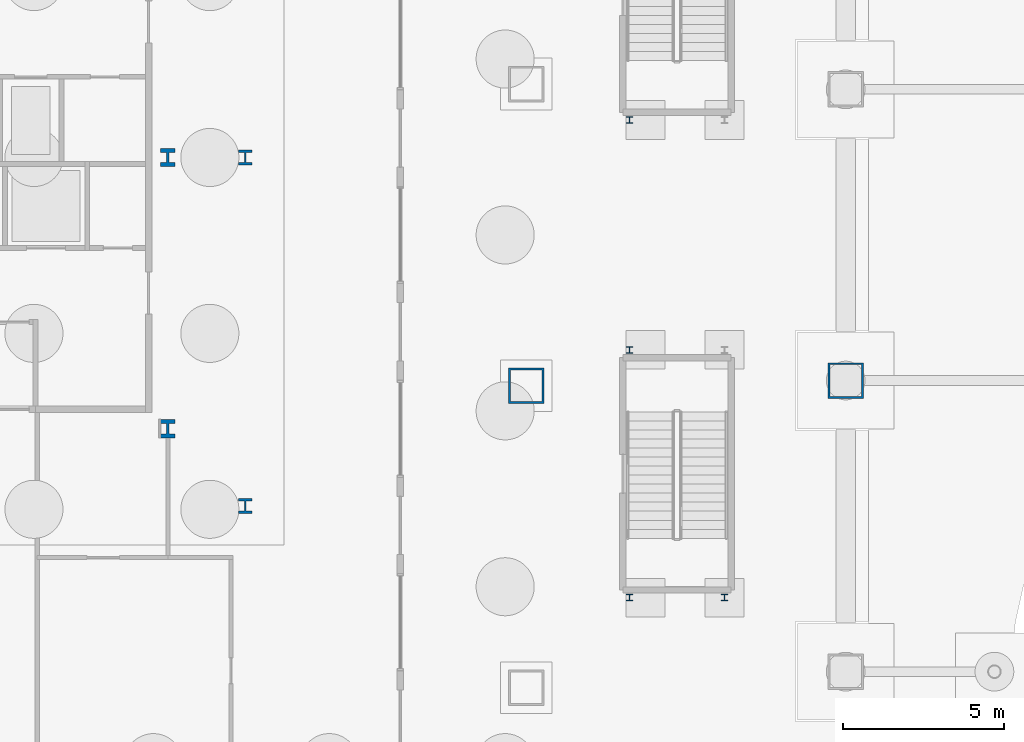
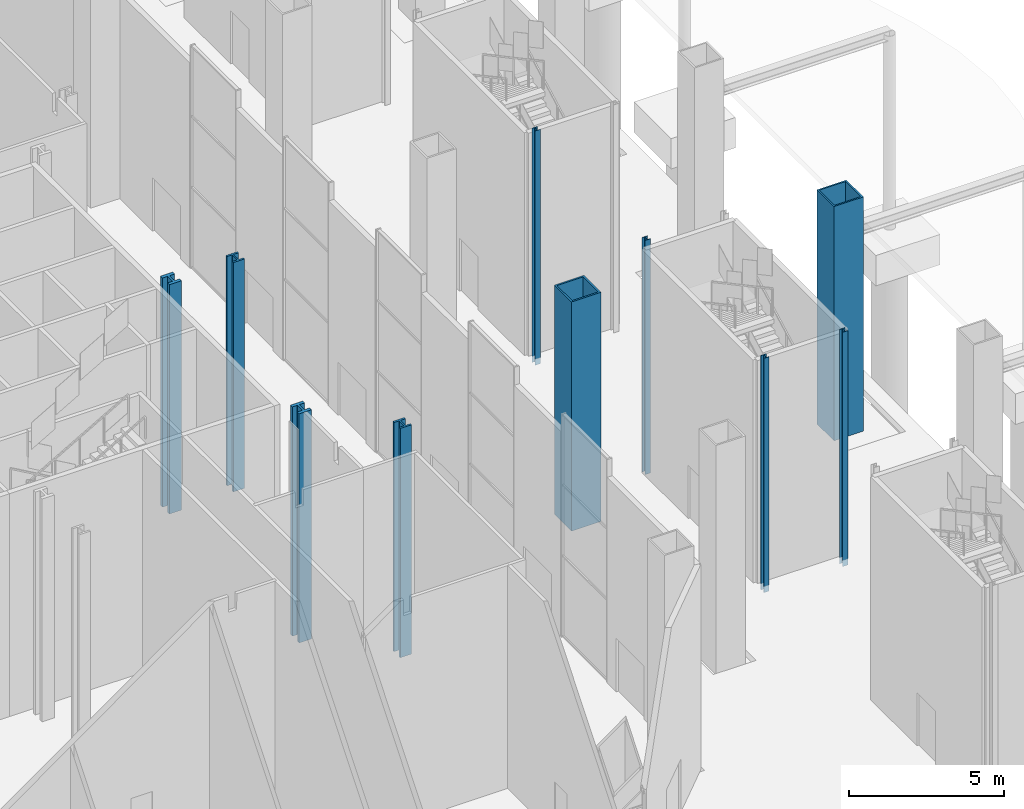
# One storey, part 8 of 38: 10 columns.
"""IFC4 building model written with IfcOpenShell, lengths in metres."""

from ifc_helpers import new_model, si_unit, direction, frame, origin, origin_2d, place, context, subcontext, project, spatial, hollow_rectangle, i_section, extrude, material, material_profile, profile_set, type_object, element, save


model = new_model("IFC4")

# Units and contexts
model_context = context("Model", 3, precision=1e-05, world=origin(), true_north=direction((0.0, 1.0)))
body_context = subcontext(model_context, "Body", "Model", "MODEL_VIEW")
ifc_project = project(units=[si_unit("LENGTHUNIT", "METRE"), si_unit("AREAUNIT", "SQUARE_METRE"), si_unit("VOLUMEUNIT", "CUBIC_METRE"), si_unit("PLANEANGLEUNIT", "RADIAN"), si_unit("MASSUNIT", "GRAM", prefix="KILO")], contexts=[model_context])

# Site, building, storey
site_placement = place(None, origin())
site = spatial("IfcSite", under=ifc_project, at=site_placement, CompositionType="ELEMENT")
building_placement = place(site_placement, origin())
building = spatial("IfcBuilding", under=site, at=building_placement, Name="Cairn Pilgrim Tower", CompositionType="ELEMENT")
storey_placement = place(building_placement, origin())
storey = spatial("IfcBuildingStorey", under=building, at=storey_placement, Name="L00", CompositionType="ELEMENT", Elevation=0.0)

# Columns
ifc_material_1 = material(Name="Structural steel S460M", Category="steel")
ifc_material_profile_1 = material_profile(ifc_material_1, hollow_rectangle(XDim=1.10009765625, YDim=1.10009765625, WallThickness=0.06005859375, at=origin_2d()), Name="BOX 1100x1100x60")
ifc_profile_set_1 = profile_set([ifc_material_profile_1], Name="Structural steel S460M")
column_type_1 = type_object("IfcColumnType", Name="BOX 1100x1100x60", PredefinedType="COLUMN", material=ifc_profile_set_1)
column_1_placement = place(storey_placement, frame((27.89990234375, -4.67578125, -0.25), z_axis=(0.0, 0.0, 1.0), x_axis=(1.0, 0.0, 0.0)))
element("IfcColumn", 1, at=column_1_placement, inside=storey, type_object=column_type_1, Name="PC1-E2", PredefinedType="COLUMN", context=body_context, shape_type="SweptSolid", body=[
    extrude(hollow_rectangle(XDim=1.10009765625, YDim=1.10009765625, WallThickness=0.06005859375, at=origin_2d()), origin(), (0.0, 0.0, 1.0), 9.050048828125),
])
ifc_material_profile_2 = material_profile(ifc_material_1, i_section(OverallWidth=0.4541015625, OverallDepth=0.569091796875, WebThickness=0.077880859375, FlangeThickness=0.125, FilletRadius=0.014892578125, at=origin_2d()), Name="HD 400x1086")
ifc_profile_set_2 = profile_set([ifc_material_profile_2], Name="Structural steel S460M")
column_type_2 = type_object("IfcColumnType", Name="HD 400x1086", PredefinedType="COLUMN", material=ifc_profile_set_2)
for number, where, z_axis, x_axis, name in (
    (2, (16.800048828125, -6.0, -0.25), (0.0, 0.0, 1.0), (1.0, 0.0, 0.0), "KC-3"),
    (3, (16.800048828125, 2.39990234375, -0.25), (0.0, 0.0, 1.0), (1.0, 0.0, 0.0), "KC-5"),
):
    element("IfcColumn", number, at=place(storey_placement, frame(where, z_axis=z_axis, x_axis=x_axis)), inside=storey, type_object=column_type_2, Name=name, PredefinedType="COLUMN", context=body_context, shape_type="SweptSolid", body=[
        extrude(i_section(OverallWidth=0.4541015625, OverallDepth=0.569091796875, WebThickness=0.077880859375, FlangeThickness=0.125, FilletRadius=0.014892578125, at=origin_2d()), origin(), (0.0, 0.0, 1.0), 9.050048828125),
    ])
ifc_material_profile_3 = material_profile(ifc_material_1, i_section(OverallWidth=0.424072265625, OverallDepth=0.47412109375, WebThickness=0.047607421875, FlangeThickness=0.0771484375, FilletRadius=0.014892578125, at=origin_2d()), Name="HD 400x634")
ifc_profile_set_3 = profile_set([ifc_material_profile_3], Name="Structural steel S460M")
column_type_3 = type_object("IfcColumnType", Name="HD 400x634", PredefinedType="COLUMN", material=ifc_profile_set_3)
for number, where, z_axis, x_axis, name in (
    (4, (19.199951171875, -8.39990234375, -0.25), (0.0, 0.0, 1.0), (1.0, 0.0, 0.0), "IC-3"),
    (5, (19.199951171875, 2.39990234375, -0.25), (0.0, 0.0, 1.0), (1.0, 0.0, 0.0), "IC-5"),
):
    element("IfcColumn", number, at=place(storey_placement, frame(where, z_axis=z_axis, x_axis=x_axis)), inside=storey, type_object=column_type_3, Name=name, PredefinedType="COLUMN", context=body_context, shape_type="SweptSolid", body=[
        extrude(i_section(OverallWidth=0.424072265625, OverallDepth=0.47412109375, WebThickness=0.047607421875, FlangeThickness=0.0771484375, FilletRadius=0.014892578125, at=origin_2d()), origin(), (0.0, 0.0, 1.0), 9.050048828125),
    ])
ifc_material_profile_4 = material_profile(ifc_material_1, hollow_rectangle(XDim=1.10009765625, YDim=1.10009765625, WallThickness=0.06005859375, at=origin_2d()), Name="BOX 1100x1100x60")
ifc_profile_set_4 = profile_set([ifc_material_profile_4], Name="Structural steel S460M")
column_type_4 = type_object("IfcColumnType", Name="PILOTIS CFT 1100", PredefinedType="COLUMN", material=ifc_profile_set_4)
column_2_placement = place(storey_placement, frame((37.800048828125, -4.51025390625, -0.25), z_axis=(0.0, 0.0, 1.0), x_axis=(1.0, 0.0, 0.0)))
element("IfcColumn", 6, at=column_2_placement, inside=storey, type_object=column_type_4, Name="PILOTIS PL-E3", PredefinedType="COLUMN", context=body_context, shape_type="SweptSolid", body=[
    extrude(hollow_rectangle(XDim=1.10009765625, YDim=1.10009765625, WallThickness=0.06005859375, at=origin_2d()), origin(), (0.0, 0.0, 1.0), 9.25),
])
ifc_material_2 = material(Name="Structural steel S355J2", Category="steel")
ifc_material_profile_5 = material_profile(ifc_material_2, i_section(OverallWidth=0.199951171875, OverallDepth=0.199951171875, WebThickness=0.009033203125, FlangeThickness=0.014892578125, FilletRadius=0.01806640625, at=origin_2d()), Name="HE 200 B")
ifc_profile_set_5 = profile_set([ifc_material_profile_5], Name="Structural steel S355J2")
column_type_5 = type_object("IfcColumnType", Name="STAIR POST HE 200 B", PredefinedType="COLUMN", material=ifc_profile_set_5)
for number, where, z_axis, x_axis, name in (
    (7, (31.10498046875, -3.56005859375, -0.25), (0.0, 0.0, 1.0), (1.0, 0.0, 0.0), "STAIR POST LP-ES2-NA"),
    (8, (31.10498046875, -11.239990234375, -0.25), (0.0, 0.0, 1.0), (1.0, 0.0, 0.0), "STAIR POST LP-ES2-SA"),
    (9, (34.044921875, -11.239990234375, -0.25), (0.0, 0.0, 1.0), (1.0, 0.0, 0.0), "STAIR POST LP-ES2-SB"),
    (10, (31.10498046875, 3.56005859375, -0.25), (0.0, 0.0, 1.0), (1.0, 0.0, 0.0), "STAIR POST LP-ES3-SA"),
):
    element("IfcColumn", number, at=place(storey_placement, frame(where, z_axis=z_axis, x_axis=x_axis)), inside=storey, type_object=column_type_5, Name=name, PredefinedType="COLUMN", context=body_context, shape_type="SweptSolid", body=[
        extrude(i_section(OverallWidth=0.199951171875, OverallDepth=0.199951171875, WebThickness=0.009033203125, FlangeThickness=0.014892578125, FilletRadius=0.01806640625, at=origin_2d()), origin(), (0.0, 0.0, 1.0), 9.25),
    ])

save(model, "model.ifc")
